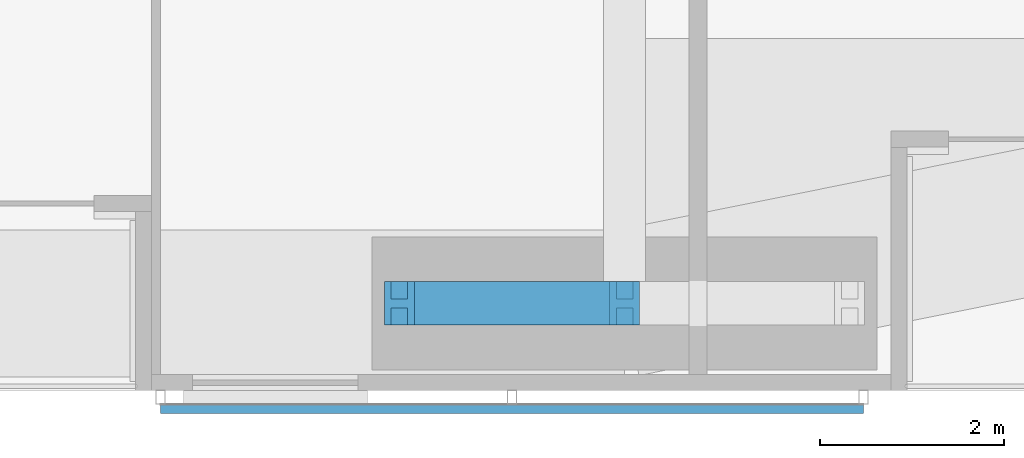
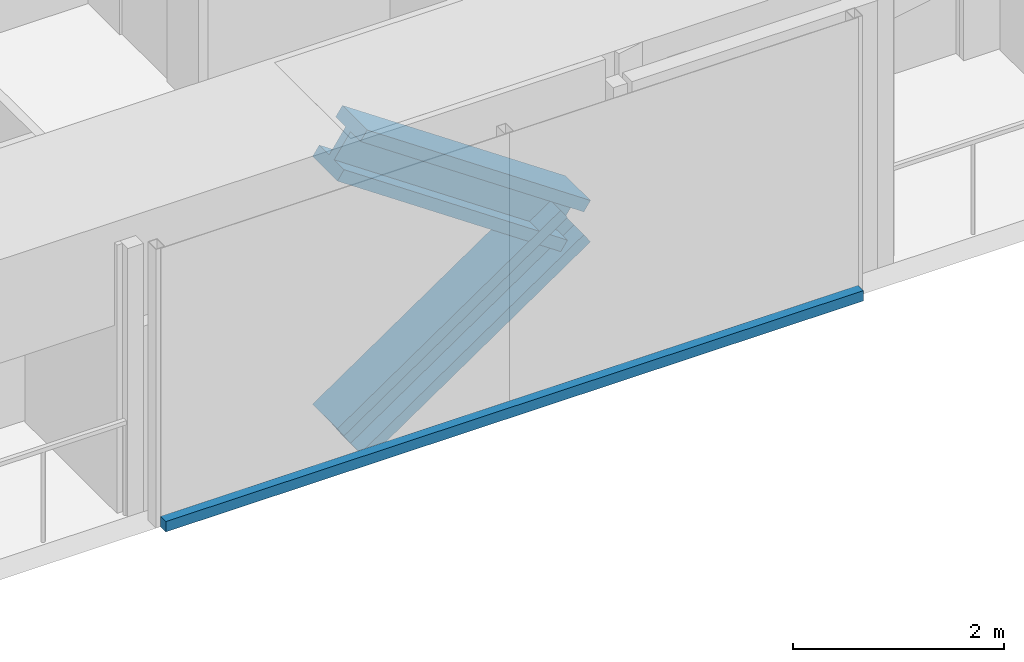
# One storey, part 6 of 24: 3 members, 1 element without a shape of its own.
"""IFC4 building model written with IfcOpenShell, lengths in metres."""

from ifc_helpers import new_model, si_unit, direction, frame, origin, origin_2d, place, context, subcontext, project, spatial, rectangle, i_section, extrude, material, material_profile, profile_set, type_object, element, aggregate, save


model = new_model("IFC4")

# Units and contexts
model_context = context("Model", 3, precision=1e-05, world=origin(), true_north=direction((0.0, 1.0)))
body_context = subcontext(model_context, "Body", "Model", "MODEL_VIEW")
ifc_project = project(units=[si_unit("LENGTHUNIT", "METRE"), si_unit("AREAUNIT", "SQUARE_METRE"), si_unit("VOLUMEUNIT", "CUBIC_METRE"), si_unit("PLANEANGLEUNIT", "RADIAN"), si_unit("MASSUNIT", "GRAM", prefix="KILO")], contexts=[model_context])

# Site, building, storey
site_placement = place(None, origin())
site = spatial("IfcSite", under=ifc_project, at=site_placement, CompositionType="ELEMENT")
building_placement = place(site_placement, origin())
building = spatial("IfcBuilding", under=site, at=building_placement, Name="Jalousie Tower", CompositionType="ELEMENT")
storey_placement = place(building_placement, frame((0.0, 0.0, 54.5)))
storey = spatial("IfcBuildingStorey", under=building, at=storey_placement, Name="L14", CompositionType="ELEMENT", Elevation=54.5)

# Members
ifc_material_1 = material(Name="Steel ASTM A992 Grade 50", Category="steel")
ifc_material_profile_1 = material_profile(ifc_material_1, i_section(OverallWidth=0.472412109375, OverallDepth=0.5791015625, WebThickness=0.094970703125, FlangeThickness=0.1298828125, at=origin_2d()), Name="W14X808")
ifc_profile_set_1 = profile_set([ifc_material_profile_1], Name="Steel ASTM A992 Grade 50")
member_type_1 = type_object("IfcMemberType", Name="PERIMETER BRACE W14X808", PredefinedType="BRACE", material=ifc_profile_set_1)
for number, where, z_axis, x_axis, name in (
    (1, (32.550048828125, 0.949951171875, -0.60009765625), (0.825500916831, 0.0, 0.564400776321), (0.0, 1.0, 0.0), "Perimeter brace 04 L14 part 1"),
    (2, (35.0, 0.949951171875, 1.074951171875), (-0.825500916831, 0.0, 0.564400776321), (0.0, -1.0, 0.0), "Perimeter brace 04 L14 part 4"),
):
    element("IfcMember", number, at=place(storey_placement, frame(where, z_axis=z_axis, x_axis=x_axis)), inside=storey, type_object=member_type_1, Name=name, PredefinedType="BRACE", context=body_context, shape_type="SweptSolid", body=[
        extrude(i_section(OverallWidth=0.472412109375, OverallDepth=0.5791015625, WebThickness=0.094970703125, FlangeThickness=0.1298828125, at=origin_2d()), origin(), (0.0, 0.0, 1.0), 2.9677734375),
    ])

# Curtain wall, member
ifc_material_2 = material(Name="Perforated aluminium sheet", Category="aluminium")
curtain_wall_type = type_object("IfcCurtainWallType", Name="SOLAR SCREEN SS-1", PredefinedType="USERDEFINED", material=ifc_material_2)
curtain_wall_placement = place(storey_placement, origin())
curtain_wall = element("IfcCurtainWall", 3, at=curtain_wall_placement, inside=storey, type_object=curtain_wall_type, Name="Solar screen L14", ObjectType="SOLAR SCREEN SS-1", PredefinedType="USERDEFINED")
ifc_material_3 = material(Name="Extruded aluminium screen rail", Category="aluminium")
ifc_material_profile_2 = material_profile(ifc_material_3, rectangle(XDim=0.1015625, YDim=0.1201171875, at=origin_2d()), Name="RAIL 102x120")
ifc_profile_set_2 = profile_set([ifc_material_profile_2], Name="Extruded aluminium screen rail")
member_type_2 = type_object("IfcMemberType", Name="SOLAR SCREEN SS-1 TRANSOM", PredefinedType="USERDEFINED", material=ifc_profile_set_2)
member_placement = place(storey_placement, frame((29.949951171875, -0.1982421875, -0.06005859375), z_axis=(1.0, 0.0, 0.0), x_axis=(0.0, 1.0, 0.0)))
member = element("IfcMember", 4, at=member_placement, type_object=member_type_2, Name="SS1 rail", ObjectType="TRANSOM", PredefinedType="USERDEFINED", context=body_context, shape_type="SweptSolid", body=[
    extrude(rectangle(XDim=0.1015625, YDim=0.1201171875, at=origin_2d()), origin(), (0.0, 0.0, 1.0), 7.650146484375),
])
aggregate(curtain_wall, [member])

save(model, "model.ifc")
